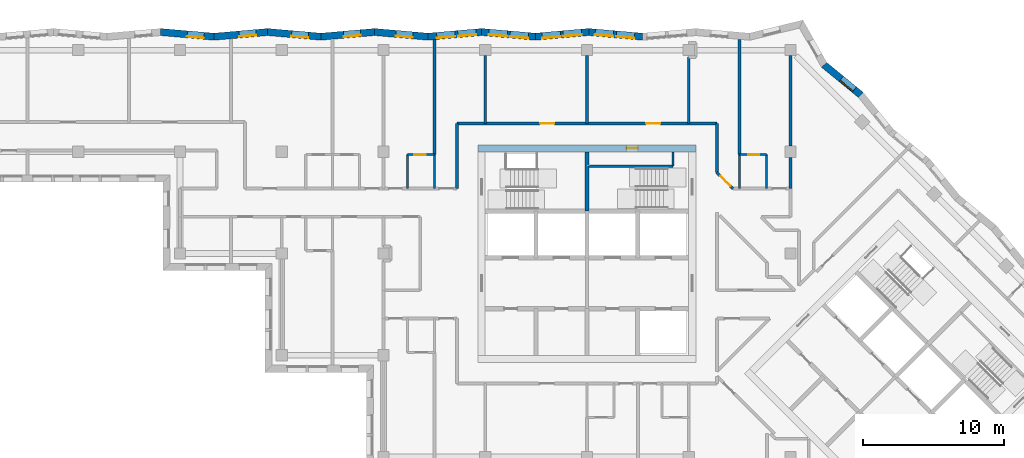
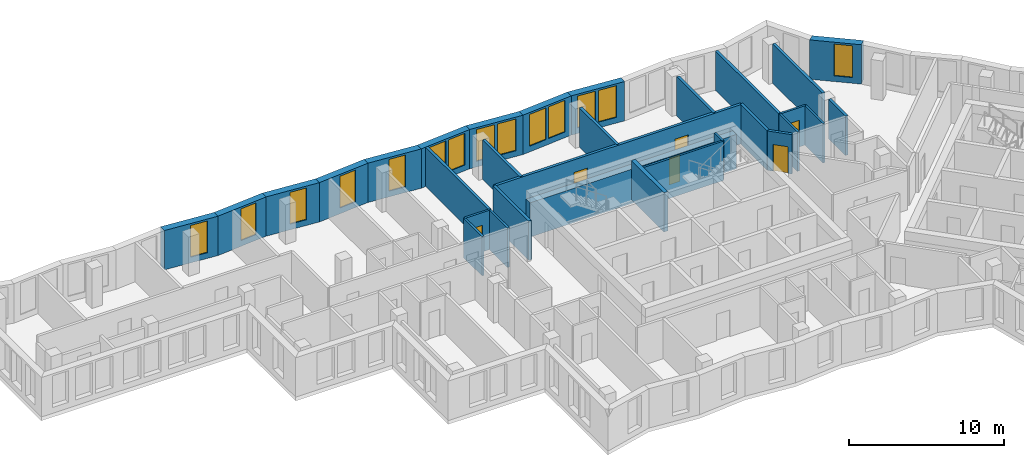
# One storey, part 6 of 11: 31 walls, 14 windows, 6 doors, 20 openings.
"""IFC4 building model written with IfcOpenShell, lengths in metres."""

from ifc_helpers import new_model, si_unit, direction, frame, frame_2d, origin, place, context, subcontext, project, spatial, polyline, rectangle, outline, extrude, material, layer, layer_set, type_object, element, fill, save


model = new_model("IFC4")

# Units and contexts
model_context = context("Model", 3, precision=1e-05, world=origin(), true_north=direction((0.0, 1.0)))
body_context = subcontext(model_context, "Body", "Model", "MODEL_VIEW")
ifc_project = project(units=[si_unit("LENGTHUNIT", "METRE"), si_unit("AREAUNIT", "SQUARE_METRE"), si_unit("VOLUMEUNIT", "CUBIC_METRE"), si_unit("PLANEANGLEUNIT", "RADIAN"), si_unit("MASSUNIT", "GRAM", prefix="KILO")], contexts=[model_context])

# Site, building, storey
site_placement = place(None, origin())
site = spatial("IfcSite", under=ifc_project, at=site_placement, CompositionType="ELEMENT")
building_placement = place(site_placement, origin())
building = spatial("IfcBuilding", under=site, at=building_placement, Name="Windrow Commons", CompositionType="ELEMENT")
storey_placement = place(building_placement, frame((0.0, 0.0, 193.0)))
storey = spatial("IfcBuildingStorey", under=building, at=storey_placement, Name="L52", CompositionType="ELEMENT", Elevation=193.0)

# Wall, opening, window
ifc_material_1 = material(Name="Brick masonry, red clay brick", Category="masonry")
ifc_layer_1 = layer(ifc_material_1, 0.5)
ifc_layer_set_1 = layer_set([ifc_layer_1], Name="Brick facade wall 500")
wall_type_1 = type_object("IfcWallType", Name="Brick facade wall 500", PredefinedType="SOLIDWALL", material=ifc_layer_set_1)
wall_1_placement = place(storey_placement, frame((84.1872, 68.8213, 0.0), z_axis=(0.0, 0.0, 1.0), x_axis=(-0.7734276744, 0.6338845577, 0.0)))
wall_1 = element("IfcWall", 1, at=wall_1_placement, inside=storey, type_object=wall_type_1, Name="Brick facade wall L52 15", PredefinedType="SOLIDWALL", context=body_context, shape_type="SweptSolid", body=[
    extrude(outline(polyline([(-0.0248, -0.25), (3.3198, -0.25), (3.4137, 0.25), (0.0248, 0.25), (-0.0248, -0.25)])), origin(), (0.0, 0.0, 1.0), 3.1),
])
opening_1_placement = place(wall_1_placement, frame((0.6048, 0.0, 0.45)))
opening_1 = element("IfcOpeningElement", 2, at=opening_1_placement, cuts=wall_1, Name="Opening W7E", PredefinedType="OPENING", context=body_context, shape_type="SweptSolid", body=[
    extrude(rectangle(XDim=1.2, YDim=2.5, at=frame_2d((0.6, 1.25))), frame((0.0, 0.26, 0.0), z_axis=(0.0, -1.0, 0.0), x_axis=(1.0, 0.0, 0.0)), (0.0, 0.0, 1.0), 0.52),
])
ifc_material_2 = material(Name="Clear float glass in anodised aluminium frame", Category="aluminium")
window_type_1 = type_object("IfcWindowType", Name="Window W7 notch 1200x2500", PartitioningType="SINGLE_PANEL", PredefinedType="WINDOW", material=ifc_material_2)
window_1_placement = place(opening_1_placement, origin())
window_1 = element("IfcWindow", 3, at=window_1_placement, inside=storey, type_object=window_type_1, Name="Window L52 15.1", OverallHeight=2.5, OverallWidth=1.2, PartitioningType="SINGLE_PANEL", PredefinedType="WINDOW", context=body_context, shape_type="SweptSolid", body=[
    extrude(rectangle(XDim=1.2, YDim=2.5, at=frame_2d((0.6, 1.25))), frame((0.0, 0.18, 0.0), z_axis=(0.0, -1.0, 0.0), x_axis=(1.0, 0.0, 0.0)), (0.0, 0.0, 1.0), 0.06),
])
fill(opening_1, window_1)

# Wall, openings, windows
wall_2_placement = place(storey_placement, frame((68.7175, 72.9491, 0.0), z_axis=(0.0, 0.0, 1.0), x_axis=(-0.9962273538, 0.0867816769, 0.0)))
wall_2 = element("IfcWall", 4, at=wall_2_placement, inside=storey, type_object=wall_type_1, Name="Brick facade wall L52 20", PredefinedType="SOLIDWALL", context=body_context, shape_type="SweptSolid", body=[
    extrude(outline(polyline([(0.0218, -0.25), (3.8244, -0.25), (3.7808, 0.25), (-0.0218, 0.25), (0.0218, -0.25)])), origin(), (0.0, 0.0, 1.0), 3.1),
])
opening_2_placement = place(wall_2_placement, frame((0.5498, 0.0, 0.45)))
opening_2 = element("IfcOpeningElement", 5, at=opening_2_placement, cuts=wall_2, Name="Opening W1Q", PredefinedType="OPENING", context=body_context, shape_type="SweptSolid", body=[
    extrude(rectangle(XDim=1.3, YDim=2.5, at=frame_2d((0.65, 1.25))), frame((0.0, 0.26, 0.0), z_axis=(0.0, -1.0, 0.0), x_axis=(1.0, 0.0, 0.0)), (0.0, 0.0, 1.0), 0.52),
])
opening_3_placement = place(wall_2_placement, frame((2.0498, 0.0, 0.45)))
opening_3 = element("IfcOpeningElement", 6, at=opening_3_placement, cuts=wall_2, Name="Opening W1Q", PredefinedType="OPENING", context=body_context, shape_type="SweptSolid", body=[
    extrude(rectangle(XDim=1.3, YDim=2.5, at=frame_2d((0.65, 1.25))), frame((0.0, 0.26, 0.0), z_axis=(0.0, -1.0, 0.0), x_axis=(1.0, 0.0, 0.0)), (0.0, 0.0, 1.0), 0.52),
])
ifc_material_3 = material(Name="Clear float glass in anodised aluminium frame", Category="aluminium")
window_type_2 = type_object("IfcWindowType", Name="Window W1Q pair 1300x2500", PartitioningType="SINGLE_PANEL", PredefinedType="WINDOW", material=ifc_material_3)
window_2_placement = place(opening_2_placement, origin())
window_2 = element("IfcWindow", 7, at=window_2_placement, inside=storey, type_object=window_type_2, Name="Window L52 20.1A", OverallHeight=2.5, OverallWidth=1.3, PartitioningType="SINGLE_PANEL", PredefinedType="WINDOW", context=body_context, shape_type="SweptSolid", body=[
    extrude(rectangle(XDim=1.3, YDim=2.5, at=frame_2d((0.65, 1.25))), frame((0.0, 0.18, 0.0), z_axis=(0.0, -1.0, 0.0), x_axis=(1.0, 0.0, 0.0)), (0.0, 0.0, 1.0), 0.06),
])
fill(opening_2, window_2)
window_3_placement = place(opening_3_placement, origin())
window_3 = element("IfcWindow", 8, at=window_3_placement, inside=storey, type_object=window_type_2, Name="Window L52 20.1B", OverallHeight=2.5, OverallWidth=1.3, PartitioningType="SINGLE_PANEL", PredefinedType="WINDOW", context=body_context, shape_type="SweptSolid", body=[
    extrude(rectangle(XDim=1.3, YDim=2.5, at=frame_2d((0.65, 1.25))), frame((0.0, 0.18, 0.0), z_axis=(0.0, -1.0, 0.0), x_axis=(1.0, 0.0, 0.0)), (0.0, 0.0, 1.0), 0.06),
])
fill(opening_3, window_3)

wall_3_placement = place(storey_placement, frame((64.9292, 73.2791, 0.0), z_axis=(0.0, 0.0, 1.0), x_axis=(-0.9962271558, -0.0867839505, 0.0)))
wall_3 = element("IfcWall", 9, at=wall_3_placement, inside=storey, type_object=wall_type_1, Name="Brick facade wall L52 21", PredefinedType="SOLIDWALL", context=body_context, shape_type="SweptSolid", body=[
    extrude(outline(polyline([(-0.0218, -0.25), (3.7808, -0.25), (3.8244, 0.25), (0.0218, 0.25), (-0.0218, -0.25)])), origin(), (0.0, 0.0, 1.0), 3.1),
])
opening_4_placement = place(wall_3_placement, frame((0.5122, 0.0, 0.45)))
opening_4 = element("IfcOpeningElement", 10, at=opening_4_placement, cuts=wall_3, Name="Opening W1Q", PredefinedType="OPENING", context=body_context, shape_type="SweptSolid", body=[
    extrude(rectangle(XDim=1.3, YDim=2.5, at=frame_2d((0.65, 1.25))), frame((0.0, 0.26, 0.0), z_axis=(0.0, -1.0, 0.0), x_axis=(1.0, 0.0, 0.0)), (0.0, 0.0, 1.0), 0.52),
])
opening_5_placement = place(wall_3_placement, frame((2.0122, 0.0, 0.45)))
opening_5 = element("IfcOpeningElement", 11, at=opening_5_placement, cuts=wall_3, Name="Opening W1Q", PredefinedType="OPENING", context=body_context, shape_type="SweptSolid", body=[
    extrude(rectangle(XDim=1.3, YDim=2.5, at=frame_2d((0.65, 1.25))), frame((0.0, 0.26, 0.0), z_axis=(0.0, -1.0, 0.0), x_axis=(1.0, 0.0, 0.0)), (0.0, 0.0, 1.0), 0.52),
])
window_4_placement = place(opening_4_placement, origin())
window_4 = element("IfcWindow", 12, at=window_4_placement, inside=storey, type_object=window_type_2, Name="Window L52 21.1A", OverallHeight=2.5, OverallWidth=1.3, PartitioningType="SINGLE_PANEL", PredefinedType="WINDOW", context=body_context, shape_type="SweptSolid", body=[
    extrude(rectangle(XDim=1.3, YDim=2.5, at=frame_2d((0.65, 1.25))), frame((0.0, 0.18, 0.0), z_axis=(0.0, -1.0, 0.0), x_axis=(1.0, 0.0, 0.0)), (0.0, 0.0, 1.0), 0.06),
])
fill(opening_4, window_4)
window_5_placement = place(opening_5_placement, origin())
window_5 = element("IfcWindow", 13, at=window_5_placement, inside=storey, type_object=window_type_2, Name="Window L52 21.1B", OverallHeight=2.5, OverallWidth=1.3, PartitioningType="SINGLE_PANEL", PredefinedType="WINDOW", context=body_context, shape_type="SweptSolid", body=[
    extrude(rectangle(XDim=1.3, YDim=2.5, at=frame_2d((0.65, 1.25))), frame((0.0, 0.18, 0.0), z_axis=(0.0, -1.0, 0.0), x_axis=(1.0, 0.0, 0.0)), (0.0, 0.0, 1.0), 0.06),
])
fill(opening_5, window_5)

wall_4_placement = place(storey_placement, frame((61.141, 72.9491, 0.0), z_axis=(0.0, 0.0, 1.0), x_axis=(-0.9962273538, 0.0867816769, 0.0)))
wall_4 = element("IfcWall", 14, at=wall_4_placement, inside=storey, type_object=wall_type_1, Name="Brick facade wall L52 22", PredefinedType="SOLIDWALL", context=body_context, shape_type="SweptSolid", body=[
    extrude(outline(polyline([(0.0218, -0.25), (3.8244, -0.25), (3.7808, 0.25), (-0.0218, 0.25), (0.0218, -0.25)])), origin(), (0.0, 0.0, 1.0), 3.1),
])
opening_6_placement = place(wall_4_placement, frame((0.4904, 0.0, 0.45)))
opening_6 = element("IfcOpeningElement", 15, at=opening_6_placement, cuts=wall_4, Name="Opening W1Q", PredefinedType="OPENING", context=body_context, shape_type="SweptSolid", body=[
    extrude(rectangle(XDim=1.3, YDim=2.5, at=frame_2d((0.65, 1.25))), frame((0.0, 0.26, 0.0), z_axis=(0.0, -1.0, 0.0), x_axis=(1.0, 0.0, 0.0)), (0.0, 0.0, 1.0), 0.52),
])
opening_7_placement = place(wall_4_placement, frame((1.9904, 0.0, 0.45)))
opening_7 = element("IfcOpeningElement", 16, at=opening_7_placement, cuts=wall_4, Name="Opening W1Q", PredefinedType="OPENING", context=body_context, shape_type="SweptSolid", body=[
    extrude(rectangle(XDim=1.3, YDim=2.5, at=frame_2d((0.65, 1.25))), frame((0.0, 0.26, 0.0), z_axis=(0.0, -1.0, 0.0), x_axis=(1.0, 0.0, 0.0)), (0.0, 0.0, 1.0), 0.52),
])
window_6_placement = place(opening_6_placement, origin())
window_6 = element("IfcWindow", 17, at=window_6_placement, inside=storey, type_object=window_type_2, Name="Window L52 22.1A", OverallHeight=2.5, OverallWidth=1.3, PartitioningType="SINGLE_PANEL", PredefinedType="WINDOW", context=body_context, shape_type="SweptSolid", body=[
    extrude(rectangle(XDim=1.3, YDim=2.5, at=frame_2d((0.65, 1.25))), frame((0.0, 0.18, 0.0), z_axis=(0.0, -1.0, 0.0), x_axis=(1.0, 0.0, 0.0)), (0.0, 0.0, 1.0), 0.06),
])
fill(opening_6, window_6)
window_7_placement = place(opening_7_placement, origin())
window_7 = element("IfcWindow", 18, at=window_7_placement, inside=storey, type_object=window_type_2, Name="Window L52 22.1B", OverallHeight=2.5, OverallWidth=1.3, PartitioningType="SINGLE_PANEL", PredefinedType="WINDOW", context=body_context, shape_type="SweptSolid", body=[
    extrude(rectangle(XDim=1.3, YDim=2.5, at=frame_2d((0.65, 1.25))), frame((0.0, 0.18, 0.0), z_axis=(0.0, -1.0, 0.0), x_axis=(1.0, 0.0, 0.0)), (0.0, 0.0, 1.0), 0.06),
])
fill(opening_7, window_7)

wall_5_placement = place(storey_placement, frame((57.3527, 73.2791, 0.0), z_axis=(0.0, 0.0, 1.0), x_axis=(-0.9962273538, -0.0867816769, 0.0)))
wall_5 = element("IfcWall", 19, at=wall_5_placement, inside=storey, type_object=wall_type_1, Name="Brick facade wall L52 23", PredefinedType="SOLIDWALL", context=body_context, shape_type="SweptSolid", body=[
    extrude(outline(polyline([(-0.0218, -0.25), (3.7808, -0.25), (3.8244, 0.25), (0.0218, 0.25), (-0.0218, -0.25)])), origin(), (0.0, 0.0, 1.0), 3.1),
])
opening_8_placement = place(wall_5_placement, frame((0.3936, 0.0, 0.45)))
opening_8 = element("IfcOpeningElement", 20, at=opening_8_placement, cuts=wall_5, Name="Opening W1Q", PredefinedType="OPENING", context=body_context, shape_type="SweptSolid", body=[
    extrude(rectangle(XDim=1.3, YDim=2.5, at=frame_2d((0.65, 1.25))), frame((0.0, 0.26, 0.0), z_axis=(0.0, -1.0, 0.0), x_axis=(1.0, 0.0, 0.0)), (0.0, 0.0, 1.0), 0.52),
])
opening_9_placement = place(wall_5_placement, frame((1.8936, 0.0, 0.45)))
opening_9 = element("IfcOpeningElement", 21, at=opening_9_placement, cuts=wall_5, Name="Opening W1Q", PredefinedType="OPENING", context=body_context, shape_type="SweptSolid", body=[
    extrude(rectangle(XDim=1.3, YDim=2.5, at=frame_2d((0.65, 1.25))), frame((0.0, 0.26, 0.0), z_axis=(0.0, -1.0, 0.0), x_axis=(1.0, 0.0, 0.0)), (0.0, 0.0, 1.0), 0.52),
])
window_8_placement = place(opening_8_placement, origin())
window_8 = element("IfcWindow", 22, at=window_8_placement, inside=storey, type_object=window_type_2, Name="Window L52 23.1A", OverallHeight=2.5, OverallWidth=1.3, PartitioningType="SINGLE_PANEL", PredefinedType="WINDOW", context=body_context, shape_type="SweptSolid", body=[
    extrude(rectangle(XDim=1.3, YDim=2.5, at=frame_2d((0.65, 1.25))), frame((0.0, 0.18, 0.0), z_axis=(0.0, -1.0, 0.0), x_axis=(1.0, 0.0, 0.0)), (0.0, 0.0, 1.0), 0.06),
])
fill(opening_8, window_8)
window_9_placement = place(opening_9_placement, origin())
window_9 = element("IfcWindow", 23, at=window_9_placement, inside=storey, type_object=window_type_2, Name="Window L52 23.1B", OverallHeight=2.5, OverallWidth=1.3, PartitioningType="SINGLE_PANEL", PredefinedType="WINDOW", context=body_context, shape_type="SweptSolid", body=[
    extrude(rectangle(XDim=1.3, YDim=2.5, at=frame_2d((0.65, 1.25))), frame((0.0, 0.18, 0.0), z_axis=(0.0, -1.0, 0.0), x_axis=(1.0, 0.0, 0.0)), (0.0, 0.0, 1.0), 0.06),
])
fill(opening_9, window_9)

# Wall, opening, window
wall_6_placement = place(storey_placement, frame((53.5644, 72.9491, 0.0), z_axis=(0.0, 0.0, 1.0), x_axis=(-0.9962271558, 0.0867839505, 0.0)))
wall_6 = element("IfcWall", 24, at=wall_6_placement, inside=storey, type_object=wall_type_1, Name="Brick facade wall L52 24", PredefinedType="SOLIDWALL", context=body_context, shape_type="SweptSolid", body=[
    extrude(outline(polyline([(0.0218, -0.25), (3.8244, -0.25), (3.7808, 0.25), (-0.0218, 0.25), (0.0218, -0.25)])), origin(), (0.0, 0.0, 1.0), 3.1),
])
opening_10_placement = place(wall_6_placement, frame((1.0882, 0.0, 0.45)))
opening_10 = element("IfcOpeningElement", 25, at=opening_10_placement, cuts=wall_6, Name="Opening W7E", PredefinedType="OPENING", context=body_context, shape_type="SweptSolid", body=[
    extrude(rectangle(XDim=1.2, YDim=2.5, at=frame_2d((0.6, 1.25))), frame((0.0, 0.26, 0.0), z_axis=(0.0, -1.0, 0.0), x_axis=(1.0, 0.0, 0.0)), (0.0, 0.0, 1.0), 0.52),
])
window_10_placement = place(opening_10_placement, origin())
window_10 = element("IfcWindow", 26, at=window_10_placement, inside=storey, type_object=window_type_1, Name="Window L52 24.1", OverallHeight=2.5, OverallWidth=1.2, PartitioningType="SINGLE_PANEL", PredefinedType="WINDOW", context=body_context, shape_type="SweptSolid", body=[
    extrude(rectangle(XDim=1.2, YDim=2.5, at=frame_2d((0.6, 1.25))), frame((0.0, 0.18, 0.0), z_axis=(0.0, -1.0, 0.0), x_axis=(1.0, 0.0, 0.0)), (0.0, 0.0, 1.0), 0.06),
])
fill(opening_10, window_10)

wall_7_placement = place(storey_placement, frame((49.7762, 73.2791, 0.0), z_axis=(0.0, 0.0, 1.0), x_axis=(-0.9962273538, -0.0867816769, 0.0)))
wall_7 = element("IfcWall", 27, at=wall_7_placement, inside=storey, type_object=wall_type_1, Name="Brick facade wall L52 25", PredefinedType="SOLIDWALL", context=body_context, shape_type="SweptSolid", body=[
    extrude(outline(polyline([(-0.0218, -0.25), (3.7808, -0.25), (3.8244, 0.25), (0.0218, 0.25), (-0.0218, -0.25)])), origin(), (0.0, 0.0, 1.0), 3.1),
])
opening_11_placement = place(wall_7_placement, frame((1.0046, 0.0, 0.45)))
opening_11 = element("IfcOpeningElement", 28, at=opening_11_placement, cuts=wall_7, Name="Opening W7E", PredefinedType="OPENING", context=body_context, shape_type="SweptSolid", body=[
    extrude(rectangle(XDim=1.2, YDim=2.5, at=frame_2d((0.6, 1.25))), frame((0.0, 0.26, 0.0), z_axis=(0.0, -1.0, 0.0), x_axis=(1.0, 0.0, 0.0)), (0.0, 0.0, 1.0), 0.52),
])
window_11_placement = place(opening_11_placement, origin())
window_11 = element("IfcWindow", 29, at=window_11_placement, inside=storey, type_object=window_type_1, Name="Window L52 25.1", OverallHeight=2.5, OverallWidth=1.2, PartitioningType="SINGLE_PANEL", PredefinedType="WINDOW", context=body_context, shape_type="SweptSolid", body=[
    extrude(rectangle(XDim=1.2, YDim=2.5, at=frame_2d((0.6, 1.25))), frame((0.0, 0.18, 0.0), z_axis=(0.0, -1.0, 0.0), x_axis=(1.0, 0.0, 0.0)), (0.0, 0.0, 1.0), 0.06),
])
fill(opening_11, window_11)

wall_8_placement = place(storey_placement, frame((45.9879, 72.9491, 0.0), z_axis=(0.0, 0.0, 1.0), x_axis=(-0.9962273538, 0.0867816769, 0.0)))
wall_8 = element("IfcWall", 30, at=wall_8_placement, inside=storey, type_object=wall_type_1, Name="Brick facade wall L52 26", PredefinedType="SOLIDWALL", context=body_context, shape_type="SweptSolid", body=[
    extrude(outline(polyline([(0.0218, -0.25), (3.8244, -0.25), (3.7808, 0.25), (-0.0218, 0.25), (0.0218, -0.25)])), origin(), (0.0, 0.0, 1.0), 3.1),
])
opening_12_placement = place(wall_8_placement, frame((0.8992, 0.0, 0.45)))
opening_12 = element("IfcOpeningElement", 31, at=opening_12_placement, cuts=wall_8, Name="Opening W7E", PredefinedType="OPENING", context=body_context, shape_type="SweptSolid", body=[
    extrude(rectangle(XDim=1.2, YDim=2.5, at=frame_2d((0.6, 1.25))), frame((0.0, 0.26, 0.0), z_axis=(0.0, -1.0, 0.0), x_axis=(1.0, 0.0, 0.0)), (0.0, 0.0, 1.0), 0.52),
])
window_12_placement = place(opening_12_placement, origin())
window_12 = element("IfcWindow", 32, at=window_12_placement, inside=storey, type_object=window_type_1, Name="Window L52 26.1", OverallHeight=2.5, OverallWidth=1.2, PartitioningType="SINGLE_PANEL", PredefinedType="WINDOW", context=body_context, shape_type="SweptSolid", body=[
    extrude(rectangle(XDim=1.2, YDim=2.5, at=frame_2d((0.6, 1.25))), frame((0.0, 0.18, 0.0), z_axis=(0.0, -1.0, 0.0), x_axis=(1.0, 0.0, 0.0)), (0.0, 0.0, 1.0), 0.06),
])
fill(opening_12, window_12)

wall_9_placement = place(storey_placement, frame((42.1996, 73.2791, 0.0), z_axis=(0.0, 0.0, 1.0), x_axis=(-0.9962273538, -0.0867816769, 0.0)))
wall_9 = element("IfcWall", 33, at=wall_9_placement, inside=storey, type_object=wall_type_1, Name="Brick facade wall L52 27", PredefinedType="SOLIDWALL", context=body_context, shape_type="SweptSolid", body=[
    extrude(outline(polyline([(-0.0218, -0.25), (3.7808, -0.25), (3.8244, 0.25), (0.0218, 0.25), (-0.0218, -0.25)])), origin(), (0.0, 0.0, 1.0), 3.1),
])
opening_13_placement = place(wall_9_placement, frame((0.8156, 0.0, 0.45)))
opening_13 = element("IfcOpeningElement", 34, at=opening_13_placement, cuts=wall_9, Name="Opening W7E", PredefinedType="OPENING", context=body_context, shape_type="SweptSolid", body=[
    extrude(rectangle(XDim=1.2, YDim=2.5, at=frame_2d((0.6, 1.25))), frame((0.0, 0.26, 0.0), z_axis=(0.0, -1.0, 0.0), x_axis=(1.0, 0.0, 0.0)), (0.0, 0.0, 1.0), 0.52),
])
window_13_placement = place(opening_13_placement, origin())
window_13 = element("IfcWindow", 35, at=window_13_placement, inside=storey, type_object=window_type_1, Name="Window L52 27.1", OverallHeight=2.5, OverallWidth=1.2, PartitioningType="SINGLE_PANEL", PredefinedType="WINDOW", context=body_context, shape_type="SweptSolid", body=[
    extrude(rectangle(XDim=1.2, YDim=2.5, at=frame_2d((0.6, 1.25))), frame((0.0, 0.18, 0.0), z_axis=(0.0, -1.0, 0.0), x_axis=(1.0, 0.0, 0.0)), (0.0, 0.0, 1.0), 0.06),
])
fill(opening_13, window_13)

wall_10_placement = place(storey_placement, frame((38.4113, 72.9491, 0.0), z_axis=(0.0, 0.0, 1.0), x_axis=(-0.9962271558, 0.0867839505, 0.0)))
wall_10 = element("IfcWall", 36, at=wall_10_placement, inside=storey, type_object=wall_type_1, Name="Brick facade wall L52 28", PredefinedType="SOLIDWALL", context=body_context, shape_type="SweptSolid", body=[
    extrude(outline(polyline([(0.0218, -0.25), (3.8244, -0.25), (3.7808, 0.25), (-0.0218, 0.25), (0.0218, -0.25)])), origin(), (0.0, 0.0, 1.0), 3.1),
])
opening_14_placement = place(wall_10_placement, frame((0.7102, 0.0, 0.45)))
opening_14 = element("IfcOpeningElement", 37, at=opening_14_placement, cuts=wall_10, Name="Opening W7E", PredefinedType="OPENING", context=body_context, shape_type="SweptSolid", body=[
    extrude(rectangle(XDim=1.2, YDim=2.5, at=frame_2d((0.6, 1.25))), frame((0.0, 0.26, 0.0), z_axis=(0.0, -1.0, 0.0), x_axis=(1.0, 0.0, 0.0)), (0.0, 0.0, 1.0), 0.52),
])
window_14_placement = place(opening_14_placement, origin())
window_14 = element("IfcWindow", 38, at=window_14_placement, inside=storey, type_object=window_type_1, Name="Window L52 28.1", OverallHeight=2.5, OverallWidth=1.2, PartitioningType="SINGLE_PANEL", PredefinedType="WINDOW", context=body_context, shape_type="SweptSolid", body=[
    extrude(rectangle(XDim=1.2, YDim=2.5, at=frame_2d((0.6, 1.25))), frame((0.0, 0.18, 0.0), z_axis=(0.0, -1.0, 0.0), x_axis=(1.0, 0.0, 0.0)), (0.0, 0.0, 1.0), 0.06),
])
fill(opening_14, window_14)

# Wall, openings, doors
ifc_material_4 = material(Name="Blockwork partition", Category="masonry")
ifc_layer_2 = layer(ifc_material_4, 0.2)
ifc_layer_set_2 = layer_set([ifc_layer_2], Name="IW-CORRIDOR-200")
wall_type_2 = type_object("IfcWallType", Name="IW-CORRIDOR-200", PredefinedType="PARTITIONING", material=ifc_layer_set_2)
wall_11_placement = place(storey_placement, frame((55.6, 66.8, 0.0), z_axis=(0.0, 0.0, 1.0), x_axis=(1.0, 0.0, 0.0)))
wall_11 = element("IfcWall", 39, at=wall_11_placement, inside=storey, type_object=wall_type_2, Name="W-L52-W002", PredefinedType="PARTITIONING", context=body_context, shape_type="SweptSolid", body=[
    extrude(rectangle(XDim=18.4, YDim=0.2, at=frame_2d((9.2, 0.0))), origin(), (0.0, 0.0, 1.0), 3.1),
])
opening_15_placement = place(wall_11_placement, frame((5.8862, 0.0, 0.0)))
opening_15 = element("IfcOpeningElement", 40, at=opening_15_placement, cuts=wall_11, Name="Opening D310F", PredefinedType="OPENING", context=body_context, shape_type="SweptSolid", body=[
    extrude(rectangle(XDim=1.0, YDim=2.1, at=frame_2d((0.5, 1.05))), frame((0.0, 0.11, 0.0), z_axis=(0.0, -1.0, 0.0), x_axis=(1.0, 0.0, 0.0)), (0.0, 0.0, 1.0), 0.22),
])
opening_16_placement = place(wall_11_placement, frame((13.3887, 0.0, 0.0)))
opening_16 = element("IfcOpeningElement", 41, at=opening_16_placement, cuts=wall_11, Name="Opening D310F", PredefinedType="OPENING", context=body_context, shape_type="SweptSolid", body=[
    extrude(rectangle(XDim=1.0, YDim=2.1, at=frame_2d((0.5, 1.05))), frame((0.0, 0.11, 0.0), z_axis=(0.0, -1.0, 0.0), x_axis=(1.0, 0.0, 0.0)), (0.0, 0.0, 1.0), 0.22),
])
ifc_material_5 = material(Name="Timber door leaf", Category="wood")
door_type_1 = type_object("IfcDoorType", Name="DT-AMENITY-1000", OperationType="SINGLE_SWING_LEFT", PredefinedType="DOOR", material=ifc_material_5)
door_1_placement = place(opening_15_placement, origin())
door_1 = element("IfcDoor", 42, at=door_1_placement, inside=storey, type_object=door_type_1, Name="D-L52-D004", OperationType="SINGLE_SWING_RIGHT", OverallHeight=2.1, OverallWidth=1.0, PredefinedType="DOOR", context=body_context, shape_type="SweptSolid", body=[
    extrude(rectangle(XDim=1.0, YDim=2.1, at=frame_2d((0.5, 1.05))), frame((0.0, 0.025, 0.0), z_axis=(0.0, -1.0, 0.0), x_axis=(1.0, 0.0, 0.0)), (0.0, 0.0, 1.0), 0.05),
])
fill(opening_15, door_1)
door_2_placement = place(opening_16_placement, origin())
door_2 = element("IfcDoor", 43, at=door_2_placement, inside=storey, type_object=door_type_1, Name="D-L52-D005", OperationType="SINGLE_SWING_RIGHT", OverallHeight=2.1, OverallWidth=1.0, PredefinedType="DOOR", context=body_context, shape_type="SweptSolid", body=[
    extrude(rectangle(XDim=1.0, YDim=2.1, at=frame_2d((0.5, 1.05))), frame((0.0, 0.025, 0.0), z_axis=(0.0, -1.0, 0.0), x_axis=(1.0, 0.0, 0.0)), (0.0, 0.0, 1.0), 0.05),
])
fill(opening_16, door_2)

# Walls
wall_12_placement = place(storey_placement, frame((55.6, 62.202, 0.0), z_axis=(0.0, 0.0, 1.0), x_axis=(0.0, 1.0, 0.0)))
element("IfcWall", 44, at=wall_12_placement, inside=storey, type_object=wall_type_2, Name="W-L52-W044", PredefinedType="PARTITIONING", context=body_context, shape_type="SweptSolid", body=[
    extrude(rectangle(XDim=4.598, YDim=0.2, at=frame_2d((2.299, 0.0))), origin(), (0.0, 0.0, 1.0), 3.1),
])
wall_13_placement = place(storey_placement, frame((74.0, 63.342, 0.0), z_axis=(0.0, 0.0, 1.0), x_axis=(0.0, 1.0, 0.0)))
element("IfcWall", 45, at=wall_13_placement, inside=storey, type_object=wall_type_2, Name="W-L52-W051", PredefinedType="PARTITIONING", context=body_context, shape_type="SweptSolid", body=[
    extrude(rectangle(XDim=3.458, YDim=0.2, at=frame_2d((1.729, 0.0))), origin(), (0.0, 0.0, 1.0), 3.1),
])

# Wall, opening, door
wall_14_placement = place(storey_placement, frame((73.9971, 63.3371, 0.0), z_axis=(0.0, 0.0, 1.0), x_axis=(0.7071067812, -0.7071067812, 0.0)))
wall_14 = element("IfcWall", 46, at=wall_14_placement, inside=storey, type_object=wall_type_2, Name="W-L52-W115", PredefinedType="PARTITIONING", context=body_context, shape_type="SweptSolid", body=[
    extrude(rectangle(XDim=1.6122, YDim=0.2, at=frame_2d((0.8061, 0.0))), origin(), (0.0, 0.0, 1.0), 3.1),
])
opening_17_placement = place(wall_14_placement, frame((0.3573, 0.0, 0.0)))
opening_17 = element("IfcOpeningElement", 47, at=opening_17_placement, cuts=wall_14, Name="Opening D310F", PredefinedType="OPENING", context=body_context, shape_type="SweptSolid", body=[
    extrude(rectangle(XDim=1.0, YDim=2.1, at=frame_2d((0.5, 1.05))), frame((0.0, 0.11, 0.0), z_axis=(0.0, -1.0, 0.0), x_axis=(1.0, 0.0, 0.0)), (0.0, 0.0, 1.0), 0.22),
])
door_3_placement = place(opening_17_placement, origin())
door_3 = element("IfcDoor", 48, at=door_3_placement, inside=storey, type_object=door_type_1, Name="D-L52-D017", OperationType="SINGLE_SWING_RIGHT", OverallHeight=2.1, OverallWidth=1.0, PredefinedType="DOOR", context=body_context, shape_type="SweptSolid", body=[
    extrude(rectangle(XDim=1.0, YDim=2.1, at=frame_2d((0.5, 1.05))), frame((0.0, 0.025, 0.0), z_axis=(0.0, -1.0, 0.0), x_axis=(1.0, 0.0, 0.0)), (0.0, 0.0, 1.0), 0.05),
])
fill(opening_17, door_3)

# Walls
ifc_material_6 = material(Name="Blockwork partition", Category="masonry")
ifc_layer_3 = layer(ifc_material_6, 0.15)
ifc_layer_set_3 = layer_set([ifc_layer_3], Name="IW-ENSUITE-150")
wall_type_3 = type_object("IfcWallType", Name="IW-ENSUITE-150", PredefinedType="PARTITIONING", material=ifc_layer_set_3)
for number, where, z_axis, x_axis, name in (
    (49, (52.1, 62.2, 0.0), (0.0, 0.0, 1.0), (0.0, 1.0, 0.0), "W-L52-W077"),
    (50, (54.0, 62.2, 0.0), (0.0, 0.0, 1.0), (0.0, 1.0, 0.0), "W-L52-W078"),
    (51, (75.6, 62.2, 0.0), (0.0, 0.0, 1.0), (0.0, 1.0, 0.0), "W-L52-W079"),
    (52, (77.5, 62.2, 0.0), (0.0, 0.0, 1.0), (0.0, 1.0, 0.0), "W-L52-W080"),
):
    element("IfcWall", number, at=place(storey_placement, frame(where, z_axis=z_axis, x_axis=x_axis)), inside=storey, type_object=wall_type_3, Name=name, PredefinedType="PARTITIONING", context=body_context, shape_type="SweptSolid", body=[
        extrude(rectangle(XDim=2.4, YDim=0.15, at=frame_2d((1.2, 0.0))), origin(), (0.0, 0.0, 1.0), 3.1),
    ])

# Wall, opening, door
wall_15_placement = place(storey_placement, frame((75.6, 64.6, 0.0), z_axis=(0.0, 0.0, 1.0), x_axis=(1.0, 0.0, 0.0)))
wall_15 = element("IfcWall", 53, at=wall_15_placement, inside=storey, type_object=wall_type_3, Name="W-L52-W104", PredefinedType="PARTITIONING", context=body_context, shape_type="SweptSolid", body=[
    extrude(rectangle(XDim=1.9, YDim=0.15, at=frame_2d((0.95, 0.0))), origin(), (0.0, 0.0, 1.0), 3.1),
])
opening_18_placement = place(wall_15_placement, frame((0.6069, 0.0, 0.0)))
opening_18 = element("IfcOpeningElement", 54, at=opening_18_placement, cuts=wall_15, Name="Opening D208N", PredefinedType="OPENING", context=body_context, shape_type="SweptSolid", body=[
    extrude(rectangle(XDim=0.8, YDim=2.1, at=frame_2d((0.4, 1.05))), frame((0.0, 0.085, 0.0), z_axis=(0.0, -1.0, 0.0), x_axis=(1.0, 0.0, 0.0)), (0.0, 0.0, 1.0), 0.17),
])
ifc_material_7 = material(Name="Timber door leaf", Category="wood")
door_type_2 = type_object("IfcDoorType", Name="DT-ENSUITE-800", OperationType="SINGLE_SWING_LEFT", PredefinedType="DOOR", material=ifc_material_7)
door_4_placement = place(opening_18_placement, origin())
door_4 = element("IfcDoor", 55, at=door_4_placement, inside=storey, type_object=door_type_2, Name="D-L52-D019", OperationType="SINGLE_SWING_RIGHT", OverallHeight=2.1, OverallWidth=0.8, PredefinedType="DOOR", context=body_context, shape_type="SweptSolid", body=[
    extrude(rectangle(XDim=0.8, YDim=2.1, at=frame_2d((0.4, 1.05))), frame((0.0, 0.025, 0.0), z_axis=(0.0, -1.0, 0.0), x_axis=(1.0, 0.0, 0.0)), (0.0, 0.0, 1.0), 0.05),
])
fill(opening_18, door_4)

wall_16_placement = place(storey_placement, frame((52.1, 64.6, 0.0), z_axis=(0.0, 0.0, 1.0), x_axis=(1.0, 0.0, 0.0)))
wall_16 = element("IfcWall", 56, at=wall_16_placement, inside=storey, type_object=wall_type_3, Name="W-L52-W108", PredefinedType="PARTITIONING", context=body_context, shape_type="SweptSolid", body=[
    extrude(rectangle(XDim=1.9, YDim=0.15, at=frame_2d((0.95, 0.0))), origin(), (0.0, 0.0, 1.0), 3.1),
])
opening_19_placement = place(wall_16_placement, frame((0.4931, 0.0, 0.0)))
opening_19 = element("IfcOpeningElement", 57, at=opening_19_placement, cuts=wall_16, Name="Opening D208N", PredefinedType="OPENING", context=body_context, shape_type="SweptSolid", body=[
    extrude(rectangle(XDim=0.8, YDim=2.1, at=frame_2d((0.4, 1.05))), frame((0.0, 0.085, 0.0), z_axis=(0.0, -1.0, 0.0), x_axis=(1.0, 0.0, 0.0)), (0.0, 0.0, 1.0), 0.17),
])
door_5_placement = place(opening_19_placement, origin())
door_5 = element("IfcDoor", 58, at=door_5_placement, inside=storey, type_object=door_type_2, Name="D-L52-D015", OperationType="SINGLE_SWING_RIGHT", OverallHeight=2.1, OverallWidth=0.8, PredefinedType="DOOR", context=body_context, shape_type="SweptSolid", body=[
    extrude(rectangle(XDim=0.8, YDim=2.1, at=frame_2d((0.4, 1.05))), frame((0.0, 0.025, 0.0), z_axis=(0.0, -1.0, 0.0), x_axis=(1.0, 0.0, 0.0)), (0.0, 0.0, 1.0), 0.05),
])
fill(opening_19, door_5)

# Walls
ifc_material_8 = material(Name="Blockwork partition", Category="masonry")
ifc_layer_4 = layer(ifc_material_8, 0.2)
ifc_layer_set_4 = layer_set([ifc_layer_4], Name="IW-PARTY-200")
wall_type_4 = type_object("IfcWallType", Name="IW-PARTY-200", PredefinedType="PARTITIONING", material=ifc_layer_set_4)
wall_17_placement = place(storey_placement, frame((75.6, 64.6, 0.0), z_axis=(0.0, 0.0, 1.0), x_axis=(0.0, 1.0, 0.0)))
element("IfcWall", 59, at=wall_17_placement, inside=storey, type_object=wall_type_4, Name="W-L52-W013", PredefinedType="PARTITIONING", context=body_context, shape_type="SweptSolid", body=[
    extrude(rectangle(XDim=8.1586, YDim=0.2, at=frame_2d((4.0793, 0.0))), origin(), (0.0, 0.0, 1.0), 3.1),
])
wall_18_placement = place(storey_placement, frame((54.0, 64.6, 0.0), z_axis=(0.0, 0.0, 1.0), x_axis=(0.0, 1.0, 0.0)))
element("IfcWall", 60, at=wall_18_placement, inside=storey, type_object=wall_type_4, Name="W-L52-W014", PredefinedType="PARTITIONING", context=body_context, shape_type="SweptSolid", body=[
    extrude(rectangle(XDim=8.136, YDim=0.2, at=frame_2d((4.068, 0.0))), origin(), (0.0, 0.0, 1.0), 3.1),
])
wall_19_placement = place(storey_placement, frame((79.2, 65.2, 0.0), z_axis=(0.0, 0.0, 1.0), x_axis=(0.0, 1.0, 0.0)))
element("IfcWall", 61, at=wall_19_placement, inside=storey, type_object=wall_type_4, Name="W-L52-W022", PredefinedType="PARTITIONING", context=body_context, shape_type="SweptSolid", body=[
    extrude(rectangle(XDim=6.4, YDim=0.2, at=frame_2d((3.2, 0.0))), origin(), (0.0, 0.0, 1.0), 3.1),
])
for number, where, z_axis, x_axis, name in (
    (62, (57.6, 66.8, 0.0), (0.0, 0.0, 1.0), (0.0, 1.0, 0.0), "W-L52-W038"),
    (63, (64.8, 66.8, 0.0), (0.0, 0.0, 1.0), (0.0, 1.0, 0.0), "W-L52-W039"),
):
    element("IfcWall", number, at=place(storey_placement, frame(where, z_axis=z_axis, x_axis=x_axis)), inside=storey, type_object=wall_type_4, Name=name, PredefinedType="PARTITIONING", context=body_context, shape_type="SweptSolid", body=[
        extrude(rectangle(XDim=4.8, YDim=0.2, at=frame_2d((2.4, 0.0))), origin(), (0.0, 0.0, 1.0), 3.1),
    ])
wall_20_placement = place(storey_placement, frame((72.0, 66.8, 0.0), z_axis=(0.0, 0.0, 1.0), x_axis=(0.0, 1.0, 0.0)))
element("IfcWall", 64, at=wall_20_placement, inside=storey, type_object=wall_type_4, Name="W-L52-W042", PredefinedType="PARTITIONING", context=body_context, shape_type="SweptSolid", body=[
    extrude(rectangle(XDim=4.696, YDim=0.2, at=frame_2d((2.348, 0.0))), origin(), (0.0, 0.0, 1.0), 3.1),
])
wall_21_placement = place(storey_placement, frame((79.2, 62.2, 0.0), z_axis=(0.0, 0.0, 1.0), x_axis=(0.0, 1.0, 0.0)))
element("IfcWall", 65, at=wall_21_placement, inside=storey, type_object=wall_type_4, Name="W-L52-W091", PredefinedType="PARTITIONING", context=body_context, shape_type="SweptSolid", body=[
    extrude(rectangle(XDim=2.2, YDim=0.2, at=frame_2d((1.1, 0.0))), origin(), (0.0, 0.0, 1.0), 3.1),
])

# Wall, opening, door
ifc_material_9 = material(Name="Concrete C40/50", Category="concrete")
ifc_layer_5 = layer(ifc_material_9, 0.5)
ifc_layer_set_5 = layer_set([ifc_layer_5], Name="RC CORE WALL 500 C40/50")
wall_type_5 = type_object("IfcWallType", Name="RC CORE WALL 500 C40/50", PredefinedType="SHEAR", material=ifc_layer_set_5)
wall_22_placement = place(storey_placement, frame((57.1, 65.05, -0.3), z_axis=(0.0, 0.0, 1.0), x_axis=(1.0, 0.0, 0.0)))
wall_22 = element("IfcWall", 66, at=wall_22_placement, inside=storey, type_object=wall_type_5, Name="Core A wall outer-N", PredefinedType="SHEAR", context=body_context, shape_type="SweptSolid", body=[
    extrude(rectangle(XDim=15.4, YDim=0.5, at=frame_2d((7.7, 0.0))), origin(), (0.0, 0.0, 1.0), 2.7),
])
opening_20_placement = place(wall_22_placement, frame((10.5, 0.0, 0.3)))
opening_20 = element("IfcOpeningElement", 67, at=opening_20_placement, cuts=wall_22, Name="Opening D9", PredefinedType="OPENING", context=body_context, shape_type="SweptSolid", body=[
    extrude(rectangle(XDim=0.8, YDim=2.1, at=frame_2d((0.4, 1.05))), frame((0.0, 0.26, 0.0), z_axis=(0.0, -1.0, 0.0), x_axis=(1.0, 0.0, 0.0)), (0.0, 0.0, 1.0), 0.52),
])
ifc_material_10 = material(Name="Steel fire door leaf", Category="steel")
door_type_3 = type_object("IfcDoorType", Name="Riser access door 800", OperationType="SINGLE_SWING_LEFT", PredefinedType="DOOR", material=ifc_material_10)
door_6_placement = place(opening_20_placement, origin())
door_6 = element("IfcDoor", 68, at=door_6_placement, inside=storey, type_object=door_type_3, Name="Riser access door", OperationType="SINGLE_SWING_RIGHT", OverallHeight=2.1, OverallWidth=0.8, PredefinedType="DOOR", context=body_context, shape_type="SweptSolid", body=[
    extrude(rectangle(XDim=0.8, YDim=2.1, at=frame_2d((0.4, 1.05))), frame((0.0, 0.025, 0.0), z_axis=(0.0, -1.0, 0.0), x_axis=(1.0, 0.0, 0.0)), (0.0, 0.0, 1.0), 0.05),
])
fill(opening_20, door_6)

# Walls
ifc_material_11 = material(Name="Concrete C40/50", Category="concrete")
ifc_layer_6 = layer(ifc_material_11, 0.3)
ifc_layer_set_6 = layer_set([ifc_layer_6], Name="RC SHAFT WALL 300 C40/50")
wall_type_6 = type_object("IfcWallType", Name="RC SHAFT WALL 300 C40/50", PredefinedType="SOLIDWALL", material=ifc_layer_set_6)
wall_23_placement = place(storey_placement, frame((64.8, 60.6, 0.0), z_axis=(0.0, 0.0, 1.0), x_axis=(0.0, 1.0, 0.0)))
element("IfcWall", 69, at=wall_23_placement, inside=storey, type_object=wall_type_6, Name="Core A wall stair-mid", PredefinedType="SOLIDWALL", context=body_context, shape_type="SweptSolid", body=[
    extrude(rectangle(XDim=4.2, YDim=0.3, at=frame_2d((2.1, 0.0))), origin(), (0.0, 0.0, 1.0), 3.1),
])
ifc_material_12 = material(Name="Blockwork partition", Category="masonry")
ifc_layer_7 = layer(ifc_material_12, 0.15)
ifc_layer_set_7 = layer_set([ifc_layer_7], Name="Riser partition 150")
wall_type_7 = type_object("IfcWallType", Name="Riser partition 150", PredefinedType="PARTITIONING", material=ifc_layer_set_7)
wall_24_placement = place(storey_placement, frame((64.95, 63.78, 0.0), z_axis=(0.0, 0.0, 1.0), x_axis=(1.0, 0.0, 0.0)))
element("IfcWall", 70, at=wall_24_placement, inside=storey, type_object=wall_type_7, Name="W-core-strip-A-L52", PredefinedType="PARTITIONING", context=body_context, shape_type="SweptSolid", body=[
    extrude(rectangle(XDim=5.95, YDim=0.15, at=frame_2d((2.975, 0.0))), origin(), (0.0, 0.0, 1.0), 3.1),
])
wall_25_placement = place(storey_placement, frame((70.9, 63.78, 0.0), z_axis=(0.0, 0.0, 1.0), x_axis=(0.0, 1.0, 0.0)))
element("IfcWall", 71, at=wall_25_placement, inside=storey, type_object=wall_type_7, Name="W-core-stripx-A-L52-1", PredefinedType="PARTITIONING", context=body_context, shape_type="SweptSolid", body=[
    extrude(rectangle(XDim=1.02, YDim=0.15, at=frame_2d((0.51, 0.0))), origin(), (0.0, 0.0, 1.0), 3.1),
])

save(model, "model.ifc")
